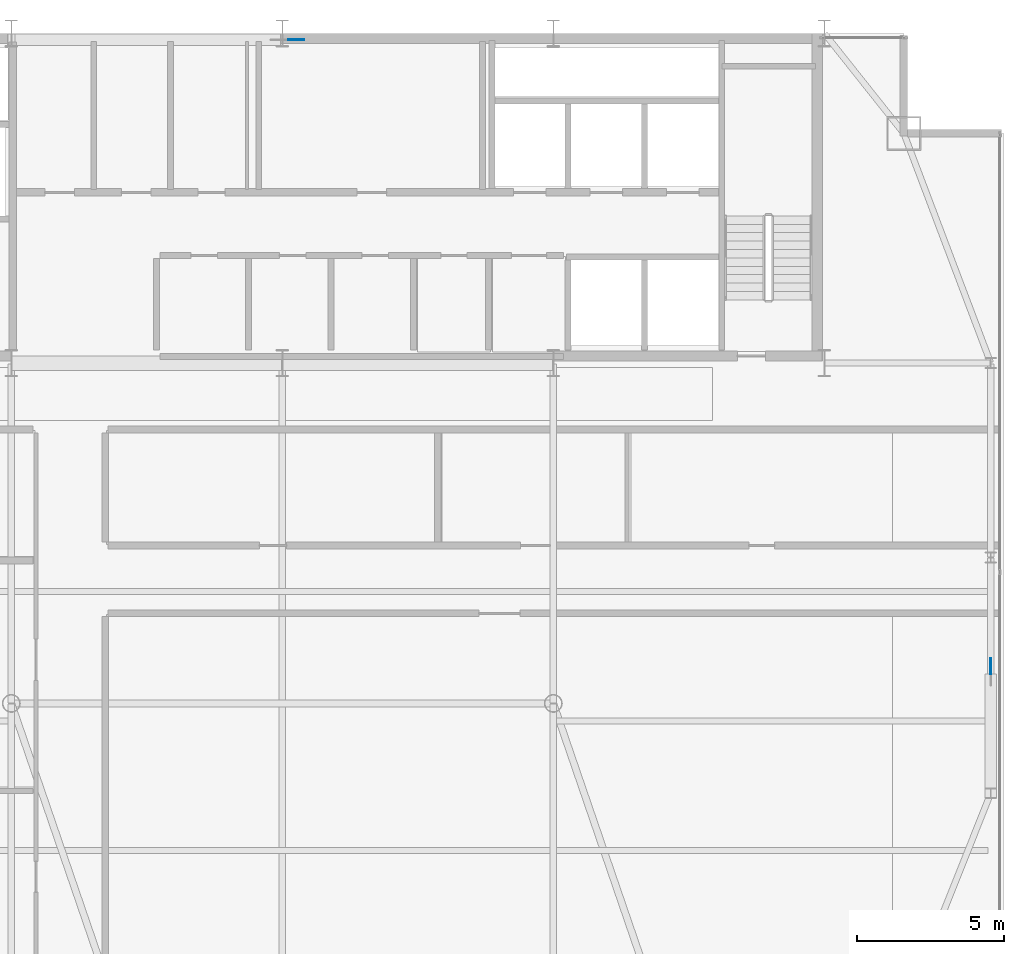
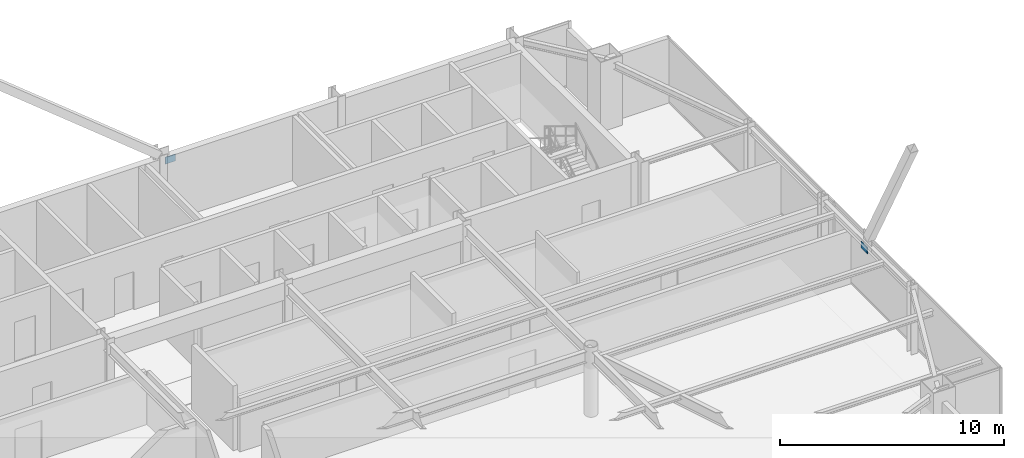
# One storey, part 22 of 26: 2 plates.
"""IFC4 building model written with IfcOpenShell, lengths in metres."""

from ifc_helpers import new_model, si_unit, direction, frame, origin, origin_2d, place, context, subcontext, project, spatial, rectangle, extrude, source, transform, mapped, material, layer, layer_set, type_object, type_shapes, element, save


model = new_model("IFC4")

# Units and contexts
model_context = context("Model", 3, precision=1e-05, world=origin(), true_north=direction((0.0, 1.0)))
body_context = subcontext(model_context, "Body", "Model", "MODEL_VIEW")
ifc_project = project(units=[si_unit("LENGTHUNIT", "METRE"), si_unit("AREAUNIT", "SQUARE_METRE"), si_unit("VOLUMEUNIT", "CUBIC_METRE"), si_unit("PLANEANGLEUNIT", "RADIAN"), si_unit("MASSUNIT", "GRAM", prefix="KILO")], contexts=[model_context])

# Site, building, storey
site_placement = place(None, origin())
site = spatial("IfcSite", under=ifc_project, at=site_placement, CompositionType="ELEMENT")
building_placement = place(site_placement, origin())
building = spatial("IfcBuilding", under=site, at=building_placement, Name="Varnel Quay Broadcast Tower", CompositionType="ELEMENT")
storey_placement = place(building_placement, frame((0.0, 0.0, 218.800048828125)))
storey = spatial("IfcBuildingStorey", under=building, at=storey_placement, Name="L54", CompositionType="ELEMENT", Elevation=218.800048828125)

# Plates
ifc_material = material(Name="Structural Steel CSA G40.21 350WT", Category="steel")
ifc_layer = layer(ifc_material, 0.031982421875, Name="Structural Steel CSA G40.21 350WT")
ifc_layer_set = layer_set([ifc_layer], Name="Structural Steel CSA G40.21 350WT")
plate_type = type_object("IfcPlateType", Name="Plate_EndCap", PredefinedType="USERDEFINED", material=ifc_layer_set)
shared_shape = source(origin(), body_context, "Body", "SweptSolid", [
    extrude(rectangle(XDim=0.5400390625, YDim=0.031982421875, at=origin_2d()), origin(), (0.0, 0.0, 1.0), 0.3798828125),
])
type_shapes(plate_type, [shared_shape])
for number, where, z_axis, x_axis, name in (
    (1, (34.475830078125, 46.580078125, 3.099365234375), (0.0, 0.0, 1.0), (1.0, 0.0, 0.0), "Zone 4 Mega-Brace N-CT2 Diag B1 End Connection Plate P1"),
    (2, (58.050048828125, 25.306640625, 2.91357421875), (0.0, 0.0, 1.0), (0.0, 1.0, 0.0), "Zone 4 Mega-Brace E-FT2 Diag B1 End Connection Plate P1"),
):
    element("IfcPlate", number, at=place(storey_placement, frame(where, z_axis=z_axis, x_axis=x_axis)), inside=storey, type_object=plate_type, Name=name, ObjectType="CAP_PLATE", PredefinedType="USERDEFINED", context=body_context, shape_type="MappedRepresentation", body=[
        mapped(shared_shape, transform((0.0, 0.0, 0.0), x_axis=(1.0, 0.0, 0.0), y_axis=(0.0, 1.0, 0.0), z_axis=(0.0, 0.0, 1.0), scale=1.0)),
    ])

save(model, "model.ifc")
